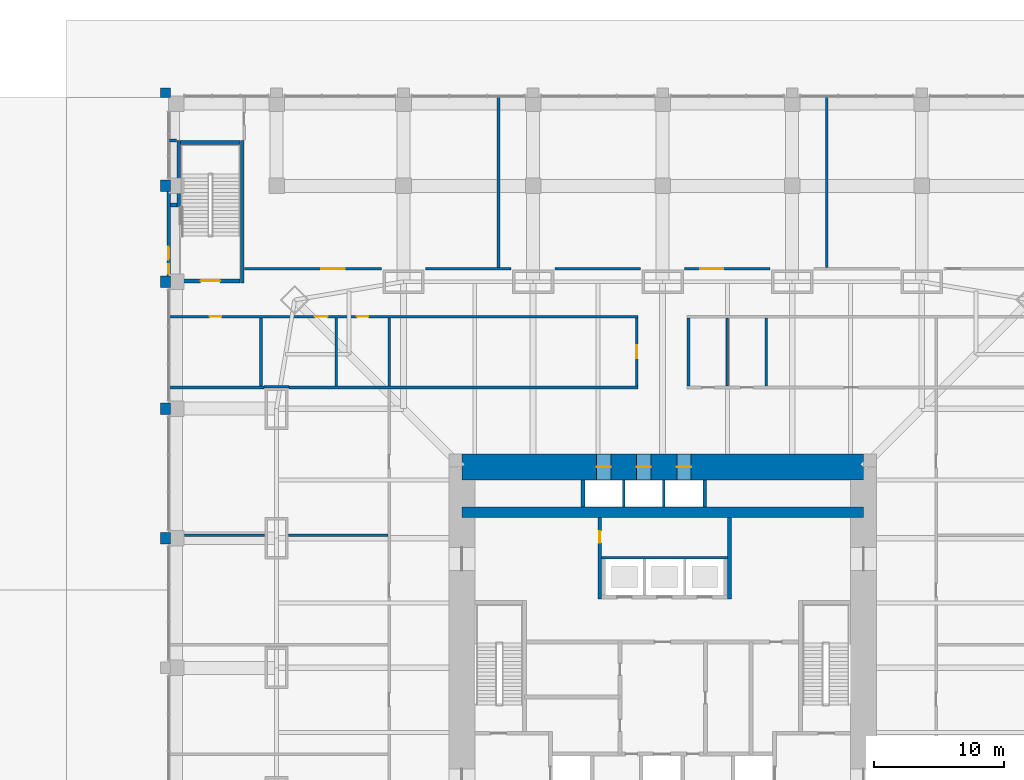
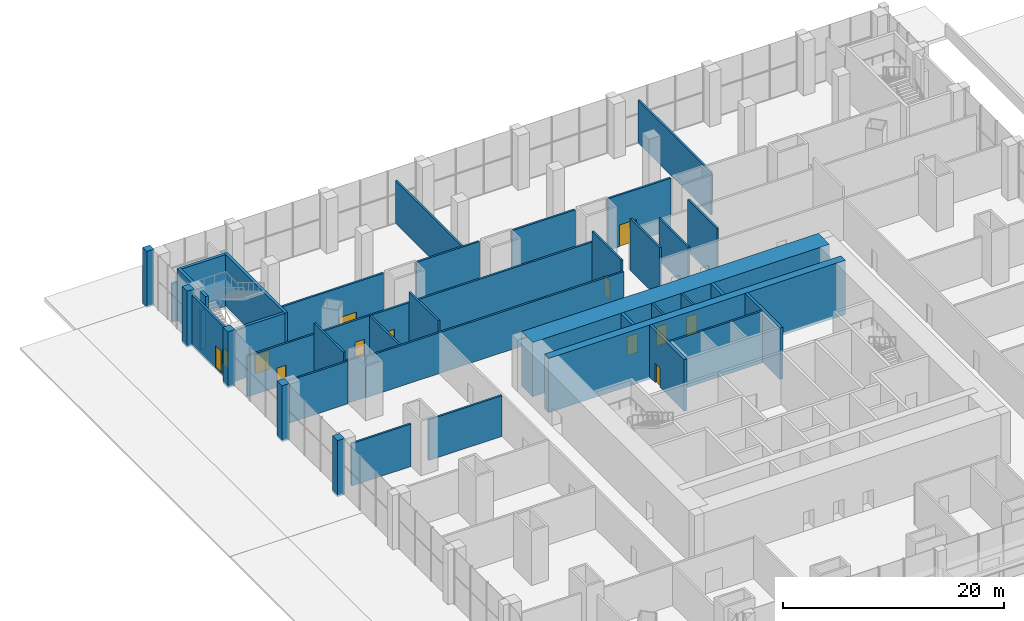
# One storey, part 25 of 31: 40 walls, 12 doors, 1 window, 13 openings.
"""IFC4 building model written with IfcOpenShell, lengths in metres."""

from ifc_helpers import new_model, si_unit, direction, frame, frame_2d, origin, place, context, subcontext, project, spatial, rectangle, extrude, material, layer, layer_set, type_object, element, fill, save


model = new_model("IFC4")

# Units and contexts
model_context = context("Model", 3, precision=1e-05, world=origin(), true_north=direction((0.0, 1.0)))
body_context = subcontext(model_context, "Body", "Model", "MODEL_VIEW")
ifc_project = project(units=[si_unit("LENGTHUNIT", "METRE"), si_unit("AREAUNIT", "SQUARE_METRE"), si_unit("VOLUMEUNIT", "CUBIC_METRE"), si_unit("PLANEANGLEUNIT", "RADIAN"), si_unit("MASSUNIT", "GRAM", prefix="KILO")], contexts=[model_context])

# Site, building, storey
site_placement = place(None, origin())
site = spatial("IfcSite", under=ifc_project, at=site_placement, CompositionType="ELEMENT")
building_placement = place(site_placement, origin())
building = spatial("IfcBuilding", under=site, at=building_placement, Name="Khuree Lantern Residences", CompositionType="ELEMENT")
storey_placement = place(building_placement, origin())
storey = spatial("IfcBuildingStorey", under=building, at=storey_placement, Name="L00", CompositionType="ELEMENT", Elevation=0.0)

# Walls
ifc_material_1 = material(Name="Dense concrete blockwork", Category="masonry")
ifc_layer_1 = layer(ifc_material_1, 0.300048828125)
ifc_layer_set_1 = layer_set([ifc_layer_1], Name="CORE PARTITION WALL CPW300 EI 120")
wall_type_1 = type_object("IfcWallType", Name="CORE PARTITION WALL CPW300 EI 120", PredefinedType="PARTITIONING", material=ifc_layer_set_1)
for number, where, z_axis, x_axis, name in (
    (1, (-6.14990234375, 12.39990234375, 0.0), (0.0, 0.0, 1.0), (0.0, 1.0, 0.0), "L00 CORE WALL PLW"),
    (2, (3.25, 12.39990234375, 0.0), (0.0, 0.0, 1.0), (0.0, 1.0, 0.0), "L00 CORE WALL PLE"),
):
    element("IfcWall", number, at=place(storey_placement, frame(where, z_axis=z_axis, x_axis=x_axis)), inside=storey, type_object=wall_type_1, Name=name, PredefinedType="PARTITIONING", context=body_context, shape_type="SweptSolid", body=[
        extrude(rectangle(XDim=2.10009765625, YDim=0.300048828125, at=frame_2d((1.050048828125, 0.0))), origin(), (0.0, 0.0, 1.0), 5.699951171875),
    ])

# Wall, opening, door
wall_1_placement = place(storey_placement, frame((-4.85009765625, 5.300048828125, 0.0), z_axis=(0.0, 0.0, 1.0), x_axis=(0.0, 1.0, 0.0)))
wall_1 = element("IfcWall", 3, at=wall_1_placement, inside=storey, type_object=wall_type_1, Name="L00 CORE WALL NW", PredefinedType="PARTITIONING", context=body_context, shape_type="SweptSolid", body=[
    extrude(rectangle(XDim=6.300048828125, YDim=0.300048828125, at=frame_2d((3.14990234375, 0.0))), origin(), (0.0, 0.0, 1.0), 5.699951171875),
])
opening_1_placement = place(wall_1_placement, frame((4.35009765625, 0.0, 0.0)))
opening_1 = element("IfcOpeningElement", 4, at=opening_1_placement, cuts=wall_1, Name="Opening 00-026", PredefinedType="OPENING", context=body_context, shape_type="SweptSolid", body=[
    extrude(rectangle(XDim=0.89990234375, YDim=2.10009765625, at=frame_2d((0.449951171875, 1.050048828125))), frame((0.0, 0.16015625, 0.0), z_axis=(0.0, -1.0, 0.0), x_axis=(1.0, 0.0, 0.0)), (0.0, 0.0, 1.0), 0.320068359375),
])
ifc_material_2 = material(Name="Timber door leaf in hardwood frame", Category="wood")
door_type_1 = type_object("IfcDoorType", Name="DOOR 900X2100 RIGHT HAND", OperationType="SINGLE_SWING_RIGHT", PredefinedType="DOOR", material=ifc_material_2)
door_1_placement = place(opening_1_placement, origin())
door_1 = element("IfcDoor", 5, at=door_1_placement, inside=storey, type_object=door_type_1, Name="Store door 00-026", OperationType="SINGLE_SWING_RIGHT", OverallHeight=2.10009765625, OverallWidth=0.89990234375, PredefinedType="DOOR", context=body_context, shape_type="SweptSolid", body=[
    extrude(rectangle(XDim=0.89990234375, YDim=2.10009765625, at=frame_2d((0.449951171875, 1.050048828125))), frame((0.0, 0.02490234375, 0.0), z_axis=(0.0, -1.0, 0.0), x_axis=(1.0, 0.0, 0.0)), (0.0, 0.0, 1.0), 0.050048828125),
])
fill(opening_1, door_1)

# Walls
wall_2_placement = place(storey_placement, frame((5.14990234375, 5.300048828125, 0.0), z_axis=(0.0, 0.0, 1.0), x_axis=(0.0, 1.0, 0.0)))
element("IfcWall", 6, at=wall_2_placement, inside=storey, type_object=wall_type_1, Name="L00 CORE WALL NE", PredefinedType="PARTITIONING", context=body_context, shape_type="SweptSolid", body=[
    extrude(rectangle(XDim=6.300048828125, YDim=0.300048828125, at=frame_2d((3.14990234375, 0.0))), origin(), (0.0, 0.0, 1.0), 5.699951171875),
])
wall_3_placement = place(storey_placement, frame((-38.0, 35.7060546875, 0.0), z_axis=(0.0, 0.0, 1.0), x_axis=(1.0, 0.0, 0.0)))
element("IfcWall", 7, at=wall_3_placement, inside=storey, type_object=wall_type_1, Name="L00 STAIR ST3 WALL X", PredefinedType="PARTITIONING", context=body_context, shape_type="SweptSolid", body=[
    extrude(rectangle(XDim=0.5, YDim=0.300048828125, at=frame_2d((0.25, 0.0))), origin(), (0.0, 0.0, 1.0), 4.27001953125),
])

# Wall, openings, doors
ifc_material_3 = material(Name="Concrete C70/85", Category="concrete")
ifc_layer_2 = layer(ifc_material_3, 2.0)
ifc_layer_set_2 = layer_set([ifc_layer_2], Name="CW2000-C70 CORE WALL C70 2000")
wall_type_2 = type_object("IfcWallType", Name="CW2000-C70 CORE WALL C70 2000", PredefinedType="SHEAR", material=ifc_layer_set_2)
wall_4_placement = place(storey_placement, frame((-15.5, 15.5, -0.300048828125), z_axis=(0.0, 0.0, 1.0), x_axis=(1.0, 0.0, 0.0)))
wall_4 = element("IfcWall", 8, at=wall_4_placement, inside=storey, type_object=wall_type_2, Name="Core wall N", PredefinedType="SHEAR", context=body_context, shape_type="SweptSolid", body=[
    extrude(rectangle(XDim=31.0, YDim=2.0, at=frame_2d((15.5, 0.0))), origin(), (0.0, 0.0, 1.0), 6.0),
])
opening_2_placement = place(wall_4_placement, frame((10.39990234375, 0.0, 0.300048828125)))
opening_2 = element("IfcOpeningElement", 9, at=opening_2_placement, cuts=wall_4, Name="Opening 00-012", PredefinedType="OPENING", context=body_context, shape_type="SweptSolid", body=[
    extrude(rectangle(XDim=1.10009765625, YDim=2.10009765625, at=frame_2d((0.550048828125, 1.050048828125))), frame((0.0, 1.010009765625, 0.0), z_axis=(0.0, -1.0, 0.0), x_axis=(1.0, 0.0, 0.0)), (0.0, 0.0, 1.0), 2.02001953125),
])
opening_3_placement = place(wall_4_placement, frame((13.5, 0.0, 0.300048828125)))
opening_3 = element("IfcOpeningElement", 10, at=opening_3_placement, cuts=wall_4, Name="Opening 00-013", PredefinedType="OPENING", context=body_context, shape_type="SweptSolid", body=[
    extrude(rectangle(XDim=1.10009765625, YDim=2.10009765625, at=frame_2d((0.550048828125, 1.050048828125))), frame((0.0, 1.010009765625, 0.0), z_axis=(0.0, -1.0, 0.0), x_axis=(1.0, 0.0, 0.0)), (0.0, 0.0, 1.0), 2.02001953125),
])
opening_4_placement = place(wall_4_placement, frame((16.60009765625, 0.0, 0.300048828125)))
opening_4 = element("IfcOpeningElement", 11, at=opening_4_placement, cuts=wall_4, Name="Opening 00-014", PredefinedType="OPENING", context=body_context, shape_type="SweptSolid", body=[
    extrude(rectangle(XDim=1.10009765625, YDim=2.10009765625, at=frame_2d((0.550048828125, 1.050048828125))), frame((0.0, 1.010009765625, 0.0), z_axis=(0.0, -1.0, 0.0), x_axis=(1.0, 0.0, 0.0)), (0.0, 0.0, 1.0), 2.02001953125),
])
ifc_material_4 = material(Name="Stainless steel lift landing door", Category="steel")
door_type_2 = type_object("IfcDoorType", Name="LIFT LANDING DOOR 1100X2100 E 60", OperationType="DOUBLE_DOOR_SLIDING", PredefinedType="DOOR", material=ifc_material_4)
door_2_placement = place(opening_2_placement, origin())
door_2 = element("IfcDoor", 12, at=door_2_placement, inside=storey, type_object=door_type_2, Name="Landing door PL1 00-012", OperationType="DOUBLE_DOOR_SLIDING", OverallHeight=2.10009765625, OverallWidth=1.10009765625, PredefinedType="DOOR", context=body_context, shape_type="SweptSolid", body=[
    extrude(rectangle(XDim=1.10009765625, YDim=2.10009765625, at=frame_2d((0.550048828125, 1.050048828125))), frame((0.0, 0.02490234375, 0.0), z_axis=(0.0, -1.0, 0.0), x_axis=(1.0, 0.0, 0.0)), (0.0, 0.0, 1.0), 0.050048828125),
])
fill(opening_2, door_2)
door_3_placement = place(opening_3_placement, origin())
door_3 = element("IfcDoor", 13, at=door_3_placement, inside=storey, type_object=door_type_2, Name="Landing door PL2 00-013", OperationType="DOUBLE_DOOR_SLIDING", OverallHeight=2.10009765625, OverallWidth=1.10009765625, PredefinedType="DOOR", context=body_context, shape_type="SweptSolid", body=[
    extrude(rectangle(XDim=1.10009765625, YDim=2.10009765625, at=frame_2d((0.550048828125, 1.050048828125))), frame((0.0, 0.02490234375, 0.0), z_axis=(0.0, -1.0, 0.0), x_axis=(1.0, 0.0, 0.0)), (0.0, 0.0, 1.0), 0.050048828125),
])
fill(opening_3, door_3)
door_4_placement = place(opening_4_placement, origin())
door_4 = element("IfcDoor", 14, at=door_4_placement, inside=storey, type_object=door_type_2, Name="Landing door PL3 00-014", OperationType="DOUBLE_DOOR_SLIDING", OverallHeight=2.10009765625, OverallWidth=1.10009765625, PredefinedType="DOOR", context=body_context, shape_type="SweptSolid", body=[
    extrude(rectangle(XDim=1.10009765625, YDim=2.10009765625, at=frame_2d((0.550048828125, 1.050048828125))), frame((0.0, 0.02490234375, 0.0), z_axis=(0.0, -1.0, 0.0), x_axis=(1.0, 0.0, 0.0)), (0.0, 0.0, 1.0), 0.050048828125),
])
fill(opening_4, door_4)

# Walls
ifc_material_5 = material(Name="Flamed granite cladding on blockwork", Category="masonry")
ifc_layer_3 = layer(ifc_material_5, 0.75)
ifc_layer_set_3 = layer_set([ifc_layer_3], Name="PODIUM PIER PR1 900X750")
wall_type_3 = type_object("IfcWallType", Name="PODIUM PIER PR1 900X750", PredefinedType="SOLIDWALL", material=ifc_layer_set_3)
wall_5_placement = place(storey_placement, frame((-38.0, 44.375, -0.199951171875), z_axis=(0.0, 0.0, 1.0), x_axis=(-1.0, 0.0, 0.0)))
element("IfcWall", 15, at=wall_5_placement, inside=storey, type_object=wall_type_3, Name="L00 NORTH FACE PIER 8", PredefinedType="SOLIDWALL", context=body_context, shape_type="SweptSolid", body=[
    extrude(rectangle(XDim=0.75, YDim=0.75, at=frame_2d((0.375, 0.0))), origin(), (0.0, 0.0, 1.0), 6.199951171875),
])
for number, where, z_axis, x_axis, name in (
    (16, (-38.375, 37.64990234375, -0.199951171875), (0.0, 0.0, 1.0), (0.0, -1.0, 0.0), "L00 WEST FACE PIER 1"),
    (17, (-38.375, 30.25, -0.199951171875), (0.0, 0.0, 1.0), (0.0, -1.0, 0.0), "L00 WEST FACE PIER 2"),
    (18, (-38.375, 20.449951171875, -0.199951171875), (0.0, 0.0, 1.0), (0.0, -1.0, 0.0), "L00 WEST FACE PIER 3"),
    (19, (-38.375, 10.449951171875, -0.199951171875), (0.0, 0.0, 1.0), (0.0, -1.0, 0.0), "L00 WEST FACE PIER 4"),
):
    element("IfcWall", number, at=place(storey_placement, frame(where, z_axis=z_axis, x_axis=x_axis)), inside=storey, type_object=wall_type_3, Name=name, PredefinedType="SOLIDWALL", context=body_context, shape_type="SweptSolid", body=[
        extrude(rectangle(XDim=0.89990234375, YDim=0.75, at=frame_2d((0.449951171875, 0.0))), origin(), (0.0, 0.0, 1.0), 6.199951171875),
    ])

# Wall, openings, door, window
ifc_layer_4 = layer(ifc_material_5, 0.25)
ifc_layer_set_4 = layer_set([ifc_layer_4], Name="PODIUM STONE WALL SW1 250")
wall_type_4 = type_object("IfcWallType", Name="PODIUM STONE WALL SW1 250", PredefinedType="SOLIDWALL", material=ifc_layer_set_4)
wall_6_placement = place(storey_placement, frame((-38.125, 36.75, -0.199951171875), z_axis=(0.0, 0.0, 1.0), x_axis=(0.0, -1.0, 0.0)))
wall_6 = element("IfcWall", 20, at=wall_6_placement, inside=storey, type_object=wall_type_4, Name="L00 WEST FACE BAY 2 STONE WALL", PredefinedType="SOLIDWALL", context=body_context, shape_type="SweptSolid", body=[
    extrude(rectangle(XDim=6.5, YDim=0.25, at=frame_2d((3.25, 0.0))), origin(), (0.0, 0.0, 1.0), 5.599853515625),
])
opening_5_placement = place(wall_6_placement, frame((5.60009765625, 0.0, 1.39990234375)))
opening_5 = element("IfcOpeningElement", 21, at=opening_5_placement, cuts=wall_6, Name="Opening L00-W02", PredefinedType="OPENING", context=body_context, shape_type="SweptSolid", body=[
    extrude(rectangle(XDim=0.75, YDim=1.699951171875, at=frame_2d((0.375, 0.85009765625))), frame((0.0, 0.135009765625, 0.0), z_axis=(0.0, -1.0, 0.0), x_axis=(1.0, 0.0, 0.0)), (0.0, 0.0, 1.0), 0.27001953125),
])
opening_6_placement = place(wall_6_placement, frame((5.25, 0.0, 0.199951171875), z_axis=(0.0, 0.0, 1.0), x_axis=(-1.0, 0.0, 0.0)))
opening_6 = element("IfcOpeningElement", 22, at=opening_6_placement, cuts=wall_6, Name="Opening 00-E08", PredefinedType="OPENING", context=body_context, shape_type="SweptSolid", body=[
    extrude(rectangle(XDim=1.0, YDim=2.39990234375, at=frame_2d((0.5, 1.199951171875))), frame((0.0, 0.135009765625, 0.0), z_axis=(0.0, -1.0, 0.0), x_axis=(1.0, 0.0, 0.0)), (0.0, 0.0, 1.0), 0.27001953125),
])
ifc_material_6 = material(Name="Insulated steel door set, bronze anodised aluminium faced", Category="steel")
door_type_3 = type_object("IfcDoorType", Name="EXIT DOOR D-E2 1000X2400", OperationType="SINGLE_SWING_RIGHT", PredefinedType="DOOR", material=ifc_material_6)
door_5_placement = place(opening_6_placement, origin())
door_5 = element("IfcDoor", 23, at=door_5_placement, inside=storey, type_object=door_type_3, Name="L00 WEST FACE BAY 2 STAIR EXIT DOOR 00-E08", OperationType="SINGLE_SWING_LEFT", OverallHeight=2.39990234375, OverallWidth=1.0, PredefinedType="DOOR", context=body_context, shape_type="SweptSolid", body=[
    extrude(rectangle(XDim=1.0, YDim=2.39990234375, at=frame_2d((0.5, 1.199951171875))), frame((0.0, 0.02490234375, 0.0), z_axis=(0.0, -1.0, 0.0), x_axis=(1.0, 0.0, 0.0)), (0.0, 0.0, 1.0), 0.050048828125),
])
fill(opening_6, door_5)
ifc_material_7 = material(Name="Aluminium frame, triple glazing", Category="aluminium")
window_type = type_object("IfcWindowType", Name="STAIR WINDOW W1 750X1700", PartitioningType="SINGLE_PANEL", PredefinedType="WINDOW", material=ifc_material_7)
window_placement = place(opening_5_placement, origin())
window = element("IfcWindow", 24, at=window_placement, inside=storey, type_object=window_type, Name="Stair ST3 window L00-W02", OverallHeight=1.699951171875, OverallWidth=0.75, PartitioningType="SINGLE_PANEL", PredefinedType="WINDOW", context=body_context, shape_type="SweptSolid", body=[
    extrude(rectangle(XDim=0.75, YDim=1.699951171875, at=frame_2d((0.375, 0.85009765625))), frame((0.0, 0.030029296875, 0.0), z_axis=(0.0, -1.0, 0.0), x_axis=(1.0, 0.0, 0.0)), (0.0, 0.0, 1.0), 0.06005859375),
])
fill(opening_5, window)

# Walls
ifc_layer_5 = layer(ifc_material_1, 0.199951171875)
ifc_layer_set_5 = layer_set([ifc_layer_5], Name="ROOM WALL RMW200")
wall_type_5 = type_object("IfcWallType", Name="ROOM WALL RMW200", PredefinedType="SOLIDWALL", material=ifc_layer_set_5)
wall_7_placement = place(storey_placement, frame((-36.919921875, 10.221923828125, 0.0), z_axis=(0.0, 0.0, 1.0), x_axis=(1.0, 0.0, 0.0)))
element("IfcWall", 25, at=wall_7_placement, inside=storey, type_object=wall_type_5, Name="L00 ROOM WALL 26", PredefinedType="SOLIDWALL", context=body_context, shape_type="SweptSolid", body=[
    extrude(rectangle(XDim=6.18994140625, YDim=0.199951171875, at=frame_2d((3.094970703125, 0.0))), origin(), (0.0, 0.0, 1.0), 4.699951171875),
])
wall_8_placement = place(storey_placement, frame((-28.869873046875, 10.221923828125, 0.0), z_axis=(0.0, 0.0, 1.0), x_axis=(1.0, 0.0, 0.0)))
element("IfcWall", 26, at=wall_8_placement, inside=storey, type_object=wall_type_5, Name="L00 ROOM WALL 27", PredefinedType="SOLIDWALL", context=body_context, shape_type="SweptSolid", body=[
    extrude(rectangle(XDim=7.658935546875, YDim=0.199951171875, at=frame_2d((3.82958984375, 0.0))), origin(), (0.0, 0.0, 1.0), 4.5),
])
wall_9_placement = place(storey_placement, frame((-38.074951171875, 21.631103515625, 0.0), z_axis=(0.0, 0.0, 1.0), x_axis=(1.0, 0.0, 0.0)))
element("IfcWall", 27, at=wall_9_placement, inside=storey, type_object=wall_type_5, Name="L00 ROOM WALL 30", PredefinedType="SOLIDWALL", context=body_context, shape_type="SweptSolid", body=[
    extrude(rectangle(XDim=7.324951171875, YDim=0.199951171875, at=frame_2d((3.66259765625, 0.0))), origin(), (0.0, 0.0, 1.0), 4.699951171875),
])
wall_10_placement = place(storey_placement, frame((-28.85009765625, 21.631103515625, 0.0), z_axis=(0.0, 0.0, 1.0), x_axis=(1.0, 0.0, 0.0)))
element("IfcWall", 28, at=wall_10_placement, inside=storey, type_object=wall_type_5, Name="L00 ROOM WALL 31", PredefinedType="SOLIDWALL", context=body_context, shape_type="SweptSolid", body=[
    extrude(rectangle(XDim=26.9501953125, YDim=0.199951171875, at=frame_2d((13.47509765625, 0.0))), origin(), (0.0, 0.0, 1.0), 4.5),
])
wall_11_placement = place(storey_placement, frame((-30.75, 21.701904296875, 0.0), z_axis=(0.0, 0.0, 1.0), x_axis=(1.0, 0.0, 0.0)))
element("IfcWall", 29, at=wall_11_placement, inside=storey, type_object=wall_type_5, Name="L00 ROOM WALL 34", PredefinedType="SOLIDWALL", context=body_context, shape_type="SweptSolid", body=[
    extrude(rectangle(XDim=1.89990234375, YDim=0.199951171875, at=frame_2d((0.949951171875, 0.0))), origin(), (0.0, 0.0, 1.0), 4.699951171875),
])
wall_12_placement = place(storey_placement, frame((-31.0, 21.73095703125, 0.0), z_axis=(0.0, 0.0, 1.0), x_axis=(0.0, 1.0, 0.0)))
element("IfcWall", 30, at=wall_12_placement, inside=storey, type_object=wall_type_5, Name="L00 ROOM WALL 36", PredefinedType="SOLIDWALL", context=body_context, shape_type="SweptSolid", body=[
    extrude(rectangle(XDim=5.280029296875, YDim=0.199951171875, at=frame_2d((2.64013671875, 0.0))), origin(), (0.0, 0.0, 1.0), 5.699951171875),
])
wall_13_placement = place(storey_placement, frame((-25.199951171875, 21.73095703125, 0.0), z_axis=(0.0, 0.0, 1.0), x_axis=(0.0, 1.0, 0.0)))
element("IfcWall", 31, at=wall_13_placement, inside=storey, type_object=wall_type_5, Name="L00 ROOM WALL 37", PredefinedType="SOLIDWALL", context=body_context, shape_type="SweptSolid", body=[
    extrude(rectangle(XDim=5.280029296875, YDim=0.199951171875, at=frame_2d((2.64013671875, 0.0))), origin(), (0.0, 0.0, 1.0), 4.5),
])
wall_14_placement = place(storey_placement, frame((-21.111083984375, 21.73095703125, 0.0), z_axis=(0.0, 0.0, 1.0), x_axis=(0.0, 1.0, 0.0)))
element("IfcWall", 32, at=wall_14_placement, inside=storey, type_object=wall_type_5, Name="L00 ROOM WALL 38", PredefinedType="SOLIDWALL", context=body_context, shape_type="SweptSolid", body=[
    extrude(rectangle(XDim=5.280029296875, YDim=0.199951171875, at=frame_2d((2.64013671875, 0.0))), origin(), (0.0, 0.0, 1.0), 5.699951171875),
])

# Wall, opening, door
wall_15_placement = place(storey_placement, frame((-2.0, 21.73095703125, 0.0), z_axis=(0.0, 0.0, 1.0), x_axis=(0.0, 1.0, 0.0)))
wall_15 = element("IfcWall", 33, at=wall_15_placement, inside=storey, type_object=wall_type_5, Name="L00 ROOM WALL 39", PredefinedType="SOLIDWALL", context=body_context, shape_type="SweptSolid", body=[
    extrude(rectangle(XDim=5.280029296875, YDim=0.199951171875, at=frame_2d((2.64013671875, 0.0))), origin(), (0.0, 0.0, 1.0), 5.699951171875),
])
opening_7_placement = place(wall_15_placement, frame((2.14990234375, 0.0, 0.0)))
opening_7 = element("IfcOpeningElement", 34, at=opening_7_placement, cuts=wall_15, Name="Opening 00-048", PredefinedType="OPENING", context=body_context, shape_type="SweptSolid", body=[
    extrude(rectangle(XDim=1.0, YDim=2.10009765625, at=frame_2d((0.5, 1.050048828125))), frame((0.0, 0.10986328125, 0.0), z_axis=(0.0, -1.0, 0.0), x_axis=(1.0, 0.0, 0.0)), (0.0, 0.0, 1.0), 0.219970703125),
])
door_type_4 = type_object("IfcDoorType", Name="DOOR 1000X2100", OperationType="SINGLE_SWING_LEFT", PredefinedType="DOOR", material=ifc_material_2)
door_6_placement = place(opening_7_placement, origin())
door_6 = element("IfcDoor", 35, at=door_6_placement, inside=storey, type_object=door_type_4, Name="Community room door 00-048", OperationType="SINGLE_SWING_LEFT", OverallHeight=2.10009765625, OverallWidth=1.0, PredefinedType="DOOR", context=body_context, shape_type="SweptSolid", body=[
    extrude(rectangle(XDim=1.0, YDim=2.10009765625, at=frame_2d((0.5, 1.050048828125))), frame((0.0, 0.02490234375, 0.0), z_axis=(0.0, -1.0, 0.0), x_axis=(1.0, 0.0, 0.0)), (0.0, 0.0, 1.0), 0.050048828125),
])
fill(opening_7, door_6)

# Walls
wall_16_placement = place(storey_placement, frame((2.0, 21.73095703125, 0.0), z_axis=(0.0, 0.0, 1.0), x_axis=(0.0, 1.0, 0.0)))
element("IfcWall", 36, at=wall_16_placement, inside=storey, type_object=wall_type_5, Name="L00 ROOM WALL 40", PredefinedType="SOLIDWALL", context=body_context, shape_type="SweptSolid", body=[
    extrude(rectangle(XDim=5.280029296875, YDim=0.199951171875, at=frame_2d((2.64013671875, 0.0))), origin(), (0.0, 0.0, 1.0), 5.699951171875),
])
wall_17_placement = place(storey_placement, frame((5.0, 21.73095703125, 0.0), z_axis=(0.0, 0.0, 1.0), x_axis=(0.0, 1.0, 0.0)))
element("IfcWall", 37, at=wall_17_placement, inside=storey, type_object=wall_type_5, Name="L00 ROOM WALL 41", PredefinedType="SOLIDWALL", context=body_context, shape_type="SweptSolid", body=[
    extrude(rectangle(XDim=5.280029296875, YDim=0.199951171875, at=frame_2d((2.64013671875, 0.0))), origin(), (0.0, 0.0, 1.0), 4.699951171875),
])
wall_18_placement = place(storey_placement, frame((8.0, 21.73095703125, 0.0), z_axis=(0.0, 0.0, 1.0), x_axis=(0.0, 1.0, 0.0)))
element("IfcWall", 38, at=wall_18_placement, inside=storey, type_object=wall_type_5, Name="L00 ROOM WALL 42", PredefinedType="SOLIDWALL", context=body_context, shape_type="SweptSolid", body=[
    extrude(rectangle(XDim=5.280029296875, YDim=0.199951171875, at=frame_2d((2.64013671875, 0.0))), origin(), (0.0, 0.0, 1.0), 5.699951171875),
])

# Wall, openings, doors
wall_19_placement = place(storey_placement, frame((-38.074951171875, 27.111083984375, 0.0), z_axis=(0.0, 0.0, 1.0), x_axis=(1.0, 0.0, 0.0)))
wall_19 = element("IfcWall", 39, at=wall_19_placement, inside=storey, type_object=wall_type_5, Name="L00 ROOM WALL 44", PredefinedType="SOLIDWALL", context=body_context, shape_type="SweptSolid", body=[
    extrude(rectangle(XDim=36.175048828125, YDim=0.199951171875, at=frame_2d((18.08740234375, 0.0))), origin(), (0.0, 0.0, 1.0), 4.5),
])
opening_8_placement = place(wall_19_placement, frame((3.114990234375, 0.0, 0.0)))
opening_8 = element("IfcOpeningElement", 40, at=opening_8_placement, cuts=wall_19, Name="Opening 00-044", PredefinedType="OPENING", context=body_context, shape_type="SweptSolid", body=[
    extrude(rectangle(XDim=0.89990234375, YDim=2.10009765625, at=frame_2d((0.449951171875, 1.050048828125))), frame((0.0, 0.10986328125, 0.0), z_axis=(0.0, -1.0, 0.0), x_axis=(1.0, 0.0, 0.0)), (0.0, 0.0, 1.0), 0.219970703125),
])
opening_9_placement = place(wall_19_placement, frame((11.22705078125, 0.0, 0.0)))
opening_9 = element("IfcOpeningElement", 41, at=opening_9_placement, cuts=wall_19, Name="Opening 00-045", PredefinedType="OPENING", context=body_context, shape_type="SweptSolid", body=[
    extrude(rectangle(XDim=1.0, YDim=2.10009765625, at=frame_2d((0.5, 1.050048828125))), frame((0.0, 0.10986328125, 0.0), z_axis=(0.0, -1.0, 0.0), x_axis=(1.0, 0.0, 0.0)), (0.0, 0.0, 1.0), 0.219970703125),
])
opening_10_placement = place(wall_19_placement, frame((14.469482421875, 0.0, 0.0)))
opening_10 = element("IfcOpeningElement", 42, at=opening_10_placement, cuts=wall_19, Name="Opening 00-046", PredefinedType="OPENING", context=body_context, shape_type="SweptSolid", body=[
    extrude(rectangle(XDim=0.89990234375, YDim=2.10009765625, at=frame_2d((0.449951171875, 1.050048828125))), frame((0.0, 0.10986328125, 0.0), z_axis=(0.0, -1.0, 0.0), x_axis=(1.0, 0.0, 0.0)), (0.0, 0.0, 1.0), 0.219970703125),
])
door_type_5 = type_object("IfcDoorType", Name="ACCESSIBLE WC DOOR 1000X2100", OperationType="SINGLE_SWING_LEFT", PredefinedType="DOOR", material=ifc_material_2)
door_7_placement = place(opening_9_placement, origin())
door_7 = element("IfcDoor", 43, at=door_7_placement, inside=storey, type_object=door_type_5, Name="Accessible WC door 00-045", OperationType="SINGLE_SWING_LEFT", OverallHeight=2.10009765625, OverallWidth=1.0, PredefinedType="DOOR", context=body_context, shape_type="SweptSolid", body=[
    extrude(rectangle(XDim=1.0, YDim=2.10009765625, at=frame_2d((0.5, 1.050048828125))), frame((0.0, 0.02490234375, 0.0), z_axis=(0.0, -1.0, 0.0), x_axis=(1.0, 0.0, 0.0)), (0.0, 0.0, 1.0), 0.050048828125),
])
fill(opening_9, door_7)
door_type_6 = type_object("IfcDoorType", Name="WC DOOR 900X2100", OperationType="SINGLE_SWING_LEFT", PredefinedType="DOOR", material=ifc_material_2)
door_8_placement = place(opening_8_placement, origin())
door_8 = element("IfcDoor", 44, at=door_8_placement, inside=storey, type_object=door_type_6, Name="Male WC door 00-044", OperationType="SINGLE_SWING_LEFT", OverallHeight=2.10009765625, OverallWidth=0.89990234375, PredefinedType="DOOR", context=body_context, shape_type="SweptSolid", body=[
    extrude(rectangle(XDim=0.89990234375, YDim=2.10009765625, at=frame_2d((0.449951171875, 1.050048828125))), frame((0.0, 0.02490234375, 0.0), z_axis=(0.0, -1.0, 0.0), x_axis=(1.0, 0.0, 0.0)), (0.0, 0.0, 1.0), 0.050048828125),
])
fill(opening_8, door_8)
door_9_placement = place(opening_10_placement, origin())
door_9 = element("IfcDoor", 45, at=door_9_placement, inside=storey, type_object=door_type_6, Name="Female WC door 00-046", OperationType="SINGLE_SWING_LEFT", OverallHeight=2.10009765625, OverallWidth=0.89990234375, PredefinedType="DOOR", context=body_context, shape_type="SweptSolid", body=[
    extrude(rectangle(XDim=0.89990234375, YDim=2.10009765625, at=frame_2d((0.449951171875, 1.050048828125))), frame((0.0, 0.02490234375, 0.0), z_axis=(0.0, -1.0, 0.0), x_axis=(1.0, 0.0, 0.0)), (0.0, 0.0, 1.0), 0.050048828125),
])
fill(opening_10, door_9)

# Wall, opening, door
wall_20_placement = place(storey_placement, frame((-32.280029296875, 30.800048828125, 0.0), z_axis=(0.0, 0.0, 1.0), x_axis=(1.0, 0.0, 0.0)))
wall_20 = element("IfcWall", 46, at=wall_20_placement, inside=storey, type_object=wall_type_5, Name="L00 ROOM WALL 46", PredefinedType="SOLIDWALL", context=body_context, shape_type="SweptSolid", body=[
    extrude(rectangle(XDim=10.579833984375, YDim=0.199951171875, at=frame_2d((5.2900390625, 0.0))), origin(), (0.0, 0.0, 1.0), 5.699951171875),
])
opening_11_placement = place(wall_20_placement, frame((5.9384765625, 0.0, 0.0)))
opening_11 = element("IfcOpeningElement", 47, at=opening_11_placement, cuts=wall_20, Name="Opening 00-053", PredefinedType="OPENING", context=body_context, shape_type="SweptSolid", body=[
    extrude(rectangle(XDim=1.800048828125, YDim=2.39990234375, at=frame_2d((0.89990234375, 1.199951171875))), frame((0.0, 0.10986328125, 0.0), z_axis=(0.0, -1.0, 0.0), x_axis=(1.0, 0.0, 0.0)), (0.0, 0.0, 1.0), 0.219970703125),
])
door_type_7 = type_object("IfcDoorType", Name="DOUBLE DOOR 1800X2400", OperationType="DOUBLE_DOOR_SINGLE_SWING", PredefinedType="DOOR", material=ifc_material_2)
door_10_placement = place(opening_11_placement, origin())
door_10 = element("IfcDoor", 48, at=door_10_placement, inside=storey, type_object=door_type_7, Name="Retail unit door 00-053", OperationType="DOUBLE_DOOR_SINGLE_SWING", OverallHeight=2.39990234375, OverallWidth=1.800048828125, PredefinedType="DOOR", context=body_context, shape_type="SweptSolid", body=[
    extrude(rectangle(XDim=1.800048828125, YDim=2.39990234375, at=frame_2d((0.89990234375, 1.199951171875))), frame((0.0, 0.02490234375, 0.0), z_axis=(0.0, -1.0, 0.0), x_axis=(1.0, 0.0, 0.0)), (0.0, 0.0, 1.0), 0.050048828125),
])
fill(opening_11, door_10)

# Walls
for number, where, z_axis, x_axis, name in (
    (49, (-18.2998046875, 30.800048828125, 0.0), (0.0, 0.0, 1.0), (1.0, 0.0, 0.0), "L00 ROOM WALL 47"),
    (50, (-8.2998046875, 30.800048828125, 0.0), (0.0, 0.0, 1.0), (1.0, 0.0, 0.0), "L00 ROOM WALL 48"),
):
    element("IfcWall", number, at=place(storey_placement, frame(where, z_axis=z_axis, x_axis=x_axis)), inside=storey, type_object=wall_type_5, Name=name, PredefinedType="SOLIDWALL", context=body_context, shape_type="SweptSolid", body=[
        extrude(rectangle(XDim=6.599609375, YDim=0.199951171875, at=frame_2d((3.2998046875, 0.0))), origin(), (0.0, 0.0, 1.0), 5.699951171875),
    ])

# Wall, opening, door
wall_21_placement = place(storey_placement, frame((1.7001953125, 30.800048828125, 0.0), z_axis=(0.0, 0.0, 1.0), x_axis=(1.0, 0.0, 0.0)))
wall_21 = element("IfcWall", 51, at=wall_21_placement, inside=storey, type_object=wall_type_5, Name="L00 ROOM WALL 49", PredefinedType="SOLIDWALL", context=body_context, shape_type="SweptSolid", body=[
    extrude(rectangle(XDim=6.599609375, YDim=0.199951171875, at=frame_2d((3.2998046875, 0.0))), origin(), (0.0, 0.0, 1.0), 5.699951171875),
])
opening_12_placement = place(wall_21_placement, frame((1.193115234375, 0.0, 0.0)))
opening_12 = element("IfcOpeningElement", 52, at=opening_12_placement, cuts=wall_21, Name="Opening 00-054", PredefinedType="OPENING", context=body_context, shape_type="SweptSolid", body=[
    extrude(rectangle(XDim=1.800048828125, YDim=2.39990234375, at=frame_2d((0.89990234375, 1.199951171875))), frame((0.0, 0.10986328125, 0.0), z_axis=(0.0, -1.0, 0.0), x_axis=(1.0, 0.0, 0.0)), (0.0, 0.0, 1.0), 0.219970703125),
])
door_11_placement = place(opening_12_placement, origin())
door_11 = element("IfcDoor", 53, at=door_11_placement, inside=storey, type_object=door_type_7, Name="Deli door 00-054", OperationType="DOUBLE_DOOR_SINGLE_SWING", OverallHeight=2.39990234375, OverallWidth=1.800048828125, PredefinedType="DOOR", context=body_context, shape_type="SweptSolid", body=[
    extrude(rectangle(XDim=1.800048828125, YDim=2.39990234375, at=frame_2d((0.89990234375, 1.199951171875))), frame((0.0, 0.02490234375, 0.0), z_axis=(0.0, -1.0, 0.0), x_axis=(1.0, 0.0, 0.0)), (0.0, 0.0, 1.0), 0.050048828125),
])
fill(opening_12, door_11)

# Walls
for number, where, z_axis, x_axis, name in (
    (54, (-12.6669921875, 30.89990234375, 0.0), (0.0, 0.0, 1.0), (0.0, 1.0, 0.0), "L00 ROOM WALL 52"),
    (55, (12.6669921875, 30.89990234375, 0.0), (0.0, 0.0, 1.0), (0.0, 1.0, 0.0), "L00 ROOM WALL 53"),
):
    element("IfcWall", number, at=place(storey_placement, frame(where, z_axis=z_axis, x_axis=x_axis)), inside=storey, type_object=wall_type_5, Name=name, PredefinedType="SOLIDWALL", context=body_context, shape_type="SweptSolid", body=[
        extrude(rectangle(XDim=13.175048828125, YDim=0.199951171875, at=frame_2d((6.58740234375, 0.0))), origin(), (0.0, 0.0, 1.0), 4.699951171875),
    ])
wall_22_placement = place(storey_placement, frame((-38.074951171875, 40.699951171875, 0.0), z_axis=(0.0, 0.0, 1.0), x_axis=(1.0, 0.0, 0.0)))
element("IfcWall", 56, at=wall_22_placement, inside=storey, type_object=wall_type_5, Name="L00 ROOM WALL 54", PredefinedType="SOLIDWALL", context=body_context, shape_type="SweptSolid", body=[
    extrude(rectangle(XDim=0.554931640625, YDim=0.199951171875, at=frame_2d((0.27734375, 0.0))), origin(), (0.0, 0.0, 1.0), 4.27001953125),
])
ifc_layer_6 = layer(ifc_material_1, 0.199951171875)
ifc_layer_set_6 = layer_set([ifc_layer_6], Name="SHAFT WALL SHW200 EI 120")
wall_type_6 = type_object("IfcWallType", Name="SHAFT WALL SHW200 EI 120", PredefinedType="PARTITIONING", material=ifc_layer_set_6)
wall_23_placement = place(storey_placement, frame((-4.699951171875, 8.5, 0.0), z_axis=(0.0, 0.0, 1.0), x_axis=(1.0, 0.0, 0.0)))
element("IfcWall", 57, at=wall_23_placement, inside=storey, type_object=wall_type_6, Name="L00 CORE WALL PHN", PredefinedType="PARTITIONING", context=body_context, shape_type="SweptSolid", body=[
    extrude(rectangle(XDim=9.699951171875, YDim=0.199951171875, at=frame_2d((4.85009765625, 0.0))), origin(), (0.0, 0.0, 1.0), 5.699951171875),
])
for number, where, z_axis, x_axis, name in (
    (58, (-3.0, 12.39990234375, 0.0), (0.0, 0.0, 1.0), (0.0, 1.0, 0.0), "L00 CORE WALL PLD1"),
    (59, (0.10009765625, 12.39990234375, 0.0), (0.0, 0.0, 1.0), (0.0, 1.0, 0.0), "L00 CORE WALL PLD2"),
):
    element("IfcWall", number, at=place(storey_placement, frame(where, z_axis=z_axis, x_axis=x_axis)), inside=storey, type_object=wall_type_6, Name=name, PredefinedType="PARTITIONING", context=body_context, shape_type="SweptSolid", body=[
        extrude(rectangle(XDim=2.10009765625, YDim=0.199951171875, at=frame_2d((1.050048828125, 0.0))), origin(), (0.0, 0.0, 1.0), 5.699951171875),
    ])
ifc_layer_7 = layer(ifc_material_3, 0.800048828125)
ifc_layer_set_7 = layer_set([ifc_layer_7], Name="SP800-C70 CORE SPINE WALL C70 800")
wall_type_7 = type_object("IfcWallType", Name="SP800-C70 CORE SPINE WALL C70 800", PredefinedType="SHEAR", material=ifc_layer_set_7)
wall_24_placement = place(storey_placement, frame((-15.5, 12.0, -0.300048828125), z_axis=(0.0, 0.0, 1.0), x_axis=(1.0, 0.0, 0.0)))
element("IfcWall", 60, at=wall_24_placement, inside=storey, type_object=wall_type_7, Name="Core wall SPN", PredefinedType="SHEAR", context=body_context, shape_type="SweptSolid", body=[
    extrude(rectangle(XDim=31.0, YDim=0.800048828125, at=frame_2d((15.5, 0.0))), origin(), (0.0, 0.0, 1.0), 6.0),
])
ifc_material_8 = material(Name="Concrete C50/60", Category="concrete")
ifc_layer_8 = layer(ifc_material_8, 0.300048828125)
ifc_layer_set_8 = layer_set([ifc_layer_8], Name="STAIR WALL SRW300 C50/60 REI 240")
wall_type_8 = type_object("IfcWallType", Name="STAIR WALL SRW300 C50/60 REI 240", PredefinedType="SOLIDWALL", material=ifc_layer_set_8)
wall_25_placement = place(storey_placement, frame((-37.35009765625, 35.555908203125, 0.0), z_axis=(0.0, 0.0, 1.0), x_axis=(0.0, 1.0, 0.0)))
element("IfcWall", 61, at=wall_25_placement, inside=storey, type_object=wall_type_8, Name="L00 STAIR ST3 WALL O", PredefinedType="SOLIDWALL", context=body_context, shape_type="SweptSolid", body=[
    extrude(rectangle(XDim=5.14404296875, YDim=0.300048828125, at=frame_2d((2.572021484375, 0.0))), origin(), (0.0, 0.0, 1.0), 5.699951171875),
])

# Wall, opening, door
wall_26_placement = place(storey_placement, frame((-38.0, 29.85009765625, 0.0), z_axis=(0.0, 0.0, 1.0), x_axis=(1.0, 0.0, 0.0)))
wall_26 = element("IfcWall", 62, at=wall_26_placement, inside=storey, type_object=wall_type_8, Name="L00 STAIR ST3 WALL S", PredefinedType="SOLIDWALL", context=body_context, shape_type="SweptSolid", body=[
    extrude(rectangle(XDim=5.39990234375, YDim=0.300048828125, at=frame_2d((2.699951171875, 0.0))), origin(), (0.0, 0.0, 1.0), 5.699951171875),
])
opening_13_placement = place(wall_26_placement, frame((2.35009765625, 0.0, 0.0)))
opening_13 = element("IfcOpeningElement", 63, at=opening_13_placement, cuts=wall_26, Name="Opening 00-029", PredefinedType="OPENING", context=body_context, shape_type="SweptSolid", body=[
    extrude(rectangle(XDim=1.5, YDim=2.10009765625, at=frame_2d((0.75, 1.050048828125))), frame((0.0, 0.16015625, 0.0), z_axis=(0.0, -1.0, 0.0), x_axis=(1.0, 0.0, 0.0)), (0.0, 0.0, 1.0), 0.320068359375),
])
ifc_material_9 = material(Name="Steel door leaf in steel frame", Category="steel")
door_type_8 = type_object("IfcDoorType", Name="STAIR DOOR 1500X2100 EI 120", OperationType="DOUBLE_DOOR_SINGLE_SWING", PredefinedType="DOOR", material=ifc_material_9)
door_12_placement = place(opening_13_placement, origin())
door_12 = element("IfcDoor", 64, at=door_12_placement, inside=storey, type_object=door_type_8, Name="Stair ST3 door 00-029", OperationType="DOUBLE_DOOR_SINGLE_SWING", OverallHeight=2.10009765625, OverallWidth=1.5, PredefinedType="DOOR", context=body_context, shape_type="SweptSolid", body=[
    extrude(rectangle(XDim=1.5, YDim=2.10009765625, at=frame_2d((0.75, 1.050048828125))), frame((0.0, 0.02490234375, 0.0), z_axis=(0.0, -1.0, 0.0), x_axis=(1.0, 0.0, 0.0)), (0.0, 0.0, 1.0), 0.050048828125),
])
fill(opening_13, door_12)

# Walls
wall_27_placement = place(storey_placement, frame((-32.449951171875, 29.699951171875, 0.0), z_axis=(0.0, 0.0, 1.0), x_axis=(0.0, 1.0, 0.0)))
element("IfcWall", 65, at=wall_27_placement, inside=storey, type_object=wall_type_8, Name="L00 STAIR ST3 WALL I", PredefinedType="SOLIDWALL", context=body_context, shape_type="SweptSolid", body=[
    extrude(rectangle(XDim=11.0, YDim=0.300048828125, at=frame_2d((5.5, 0.0))), origin(), (0.0, 0.0, 1.0), 5.699951171875),
])
wall_28_placement = place(storey_placement, frame((-37.199951171875, 40.550048828125, 0.0), z_axis=(0.0, 0.0, 1.0), x_axis=(1.0, 0.0, 0.0)))
element("IfcWall", 66, at=wall_28_placement, inside=storey, type_object=wall_type_8, Name="L00 STAIR ST3 WALL N", PredefinedType="SOLIDWALL", context=body_context, shape_type="SweptSolid", body=[
    extrude(rectangle(XDim=4.599853515625, YDim=0.300048828125, at=frame_2d((2.2998046875, 0.0))), origin(), (0.0, 0.0, 1.0), 5.699951171875),
])

save(model, "model.ifc")
